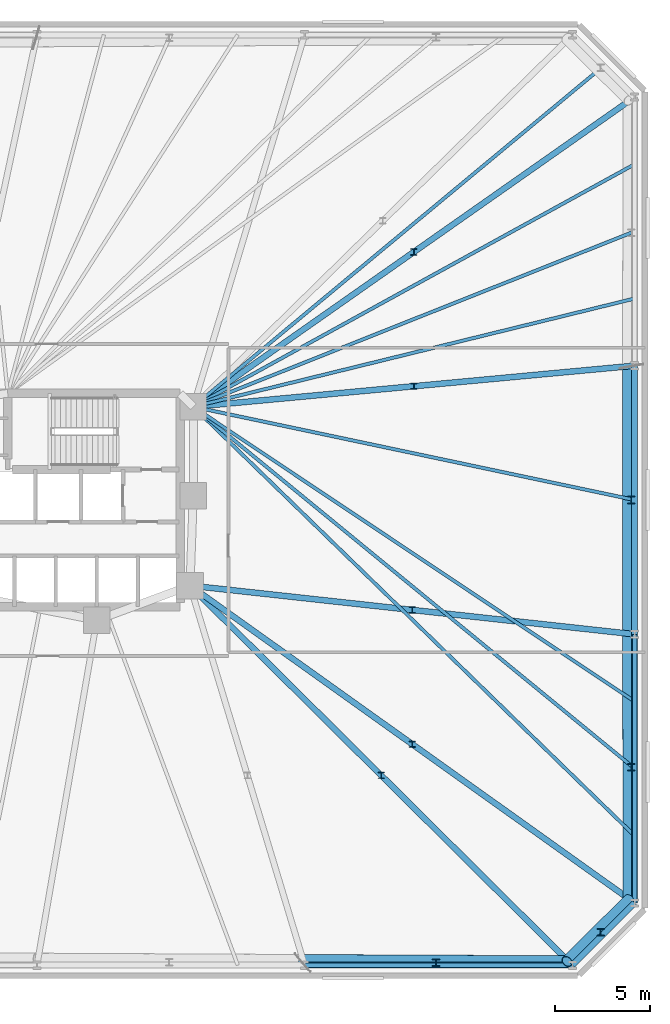
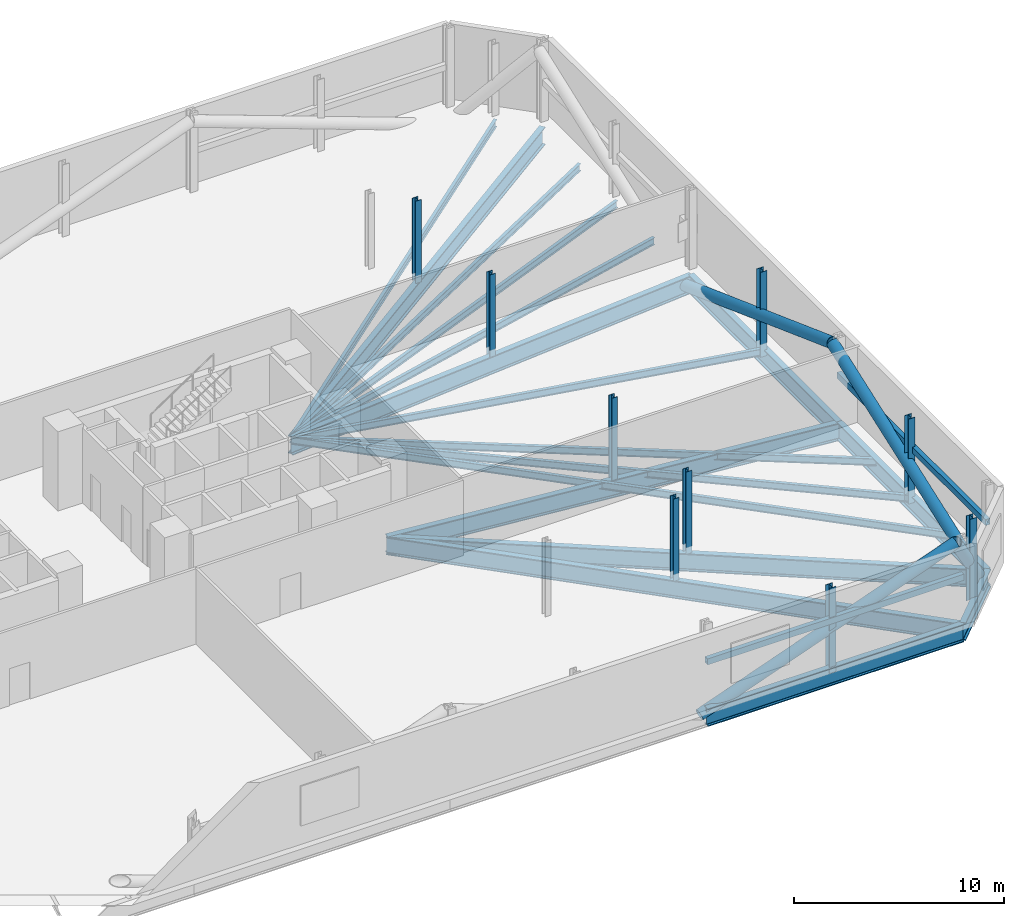
# One storey, part 10 of 17: 17 beams, 15 members.
"""IFC4 building model written with IfcOpenShell, lengths in metres."""

from ifc_helpers import new_model, si_unit, direction, frame, origin, origin_2d, place, context, subcontext, project, spatial, hollow_rectangle, hollow_circle, i_section, extrude, material, material_profile, profile_set, type_object, element, save


model = new_model("IFC4")

# Units and contexts
model_context = context("Model", 3, precision=1e-05, world=origin(), true_north=direction((0.0, 1.0)))
body_context = subcontext(model_context, "Body", "Model", "MODEL_VIEW")
ifc_project = project(units=[si_unit("LENGTHUNIT", "METRE"), si_unit("AREAUNIT", "SQUARE_METRE"), si_unit("VOLUMEUNIT", "CUBIC_METRE"), si_unit("PLANEANGLEUNIT", "RADIAN"), si_unit("MASSUNIT", "GRAM", prefix="KILO")], contexts=[model_context])

# Site, building, storey
site_placement = place(None, origin())
site = spatial("IfcSite", under=ifc_project, at=site_placement, CompositionType="ELEMENT")
building_placement = place(site_placement, origin())
building = spatial("IfcBuilding", under=site, at=building_placement, Name="Menara Jurai Vektor", CompositionType="ELEMENT")
storey_placement = place(building_placement, frame((0.0, 0.0, 9.60009765625)))
storey = spatial("IfcBuildingStorey", under=building, at=storey_placement, Name="L01", CompositionType="ELEMENT", Elevation=9.60009765625)

# Beams
ifc_material_1 = material(Name="Steel S460", Category="steel")
ifc_material_profile_1 = material_profile(ifc_material_1, i_section(OverallWidth=0.30908203125, OverallDepth=1.035888671875, WebThickness=0.030029296875, FlangeThickness=0.053955078125, FilletRadius=0.030029296875, at=origin_2d()), Name="UKB 1016x305x487")
ifc_profile_set_1 = profile_set([ifc_material_profile_1], Name="Steel S460")
beam_type_1 = type_object("IfcBeamType", Name="STR-BM-TR1016", PredefinedType="BEAM", material=ifc_profile_set_1)
beam_1_placement = place(storey_placement, frame((21.106689453125, -24.449951171875, -0.923095703125), z_axis=(1.0, 0.0, 0.0), x_axis=(0.0, 1.0, 0.0)))
element("IfcBeam", 1, at=beam_1_placement, inside=storey, type_object=beam_type_1, Name="Belt Truss Bottom Chord L01-05", PredefinedType="BEAM", context=body_context, shape_type="SweptSolid", body=[
    extrude(i_section(OverallWidth=0.30908203125, OverallDepth=1.035888671875, WebThickness=0.030029296875, FlangeThickness=0.053955078125, FilletRadius=0.030029296875, at=origin_2d()), origin(), (0.0, 0.0, 1.0), 14.071044921875),
])
beam_2_placement = place(storey_placement, frame((35.177734375, -24.449951171875, -0.923095703125), z_axis=(0.707106781187, 0.707106781187, 0.0), x_axis=(-0.707106781187, 0.707106781187, 0.0)))
element("IfcBeam", 2, at=beam_2_placement, inside=storey, type_object=beam_type_1, Name="Belt Truss Bottom Chord L01-06", PredefinedType="BEAM", context=body_context, shape_type="SweptSolid", body=[
    extrude(i_section(OverallWidth=0.30908203125, OverallDepth=1.035888671875, WebThickness=0.030029296875, FlangeThickness=0.053955078125, FilletRadius=0.030029296875, at=origin_2d()), origin(), (0.0, 0.0, 1.0), 4.627685546875),
])
beam_3_placement = place(storey_placement, frame((35.177734375, -24.449951171875, -0.923095703125), z_axis=(-0.709709931659, 0.704494011972, 0.0), x_axis=(-0.704494011972, -0.709709931659, 0.0)))
element("IfcBeam", 3, at=beam_3_placement, inside=storey, type_object=beam_type_1, Name="Outrigger Transfer Girder L01-S6", PredefinedType="BEAM", context=body_context, shape_type="SweptSolid", body=[
    extrude(i_section(OverallWidth=0.30908203125, OverallDepth=1.035888671875, WebThickness=0.030029296875, FlangeThickness=0.053955078125, FilletRadius=0.030029296875, at=origin_2d()), origin(), (0.0, 0.0, 1.0), 28.318115234375),
])
beam_4_placement = place(storey_placement, frame((38.449951171875, -21.177734375, -0.923095703125), z_axis=(0.0, 1.0, 0.0), x_axis=(-1.0, 0.0, 0.0)))
element("IfcBeam", 4, at=beam_4_placement, inside=storey, type_object=beam_type_1, Name="Belt Truss Bottom Chord L01-07", PredefinedType="BEAM", context=body_context, shape_type="SweptSolid", body=[
    extrude(i_section(OverallWidth=0.30908203125, OverallDepth=1.035888671875, WebThickness=0.030029296875, FlangeThickness=0.053955078125, FilletRadius=0.030029296875, at=origin_2d()), origin(), (0.0, 0.0, 1.0), 14.118408203125),
])
beam_5_placement = place(storey_placement, frame((38.449951171875, -21.177734375, -0.923095703125), z_axis=(-0.813981033216, 0.580891450759, 0.0), x_axis=(-0.580891450759, -0.813981033216, 0.0)))
element("IfcBeam", 5, at=beam_5_placement, inside=storey, type_object=beam_type_1, Name="Outrigger Transfer Girder L01-E1", PredefinedType="BEAM", context=body_context, shape_type="SweptSolid", body=[
    extrude(i_section(OverallWidth=0.30908203125, OverallDepth=1.035888671875, WebThickness=0.030029296875, FlangeThickness=0.053955078125, FilletRadius=0.030029296875, at=origin_2d()), origin(), (0.0, 0.0, 1.0), 28.710693359375),
])
beam_6_placement = place(storey_placement, frame((38.449951171875, -7.059326171875, -0.923095703125), z_axis=(0.0, 1.0, 0.0), x_axis=(-1.0, 0.0, 0.0)))
element("IfcBeam", 6, at=beam_6_placement, inside=storey, type_object=beam_type_1, Name="Belt Truss Bottom Chord L01-08", PredefinedType="BEAM", context=body_context, shape_type="SweptSolid", body=[
    extrude(i_section(OverallWidth=0.30908203125, OverallDepth=1.035888671875, WebThickness=0.030029296875, FlangeThickness=0.053955078125, FilletRadius=0.030029296875, at=origin_2d()), origin(), (0.0, 0.0, 1.0), 14.11865234375),
])
beam_7_placement = place(storey_placement, frame((38.449951171875, -7.059326171875, -0.923095703125), z_axis=(-0.994056757953, 0.108863042253, 0.0), x_axis=(-0.108863042253, -0.994056757953, 0.0)))
element("IfcBeam", 7, at=beam_7_placement, inside=storey, type_object=beam_type_1, Name="Outrigger Transfer Girder L01-E2", PredefinedType="BEAM", context=body_context, shape_type="SweptSolid", body=[
    extrude(i_section(OverallWidth=0.30908203125, OverallDepth=1.035888671875, WebThickness=0.030029296875, FlangeThickness=0.053955078125, FilletRadius=0.030029296875, at=origin_2d()), origin(), (0.0, 0.0, 1.0), 23.509521484375),
])
beam_8_placement = place(storey_placement, frame((38.449951171875, 7.059326171875, -0.923095703125), z_axis=(-0.995696113112, -0.092678208514, 0.0), x_axis=(0.092678208514, -0.995696113112, 0.0)))
element("IfcBeam", 8, at=beam_8_placement, inside=storey, type_object=beam_type_1, Name="Outrigger Transfer Girder L01-E3", PredefinedType="BEAM", context=body_context, shape_type="SweptSolid", body=[
    extrude(i_section(OverallWidth=0.30908203125, OverallDepth=1.035888671875, WebThickness=0.030029296875, FlangeThickness=0.053955078125, FilletRadius=0.030029296875, at=origin_2d()), origin(), (0.0, 0.0, 1.0), 23.30029296875),
])
beam_9_placement = place(storey_placement, frame((38.449951171875, 21.177734375, -0.923095703125), z_axis=(-0.818603732445, -0.574358711283, 0.0), x_axis=(0.574358711283, -0.818603732445, 0.0)))
element("IfcBeam", 9, at=beam_9_placement, inside=storey, type_object=beam_type_1, Name="Outrigger Transfer Girder L01-E4", PredefinedType="BEAM", context=body_context, shape_type="SweptSolid", body=[
    extrude(i_section(OverallWidth=0.30908203125, OverallDepth=1.035888671875, WebThickness=0.030029296875, FlangeThickness=0.053955078125, FilletRadius=0.030029296875, at=origin_2d()), origin(), (0.0, 0.0, 1.0), 28.3408203125),
])

# Members
ifc_material_profile_2 = material_profile(ifc_material_1, hollow_circle(Radius=0.304931640625, WallThickness=0.02490234375, at=origin_2d()), Name="CHS 610x25")
ifc_profile_set_2 = profile_set([ifc_material_profile_2], Name="Steel S460")
member_type_1 = type_object("IfcMemberType", Name="STR-BR-610", PredefinedType="BRACE", material=ifc_profile_set_2)
member_1_placement = place(storey_placement, frame((20.884521484375, -24.192626953125, -0.923095703125), z_axis=(0.938838220166, -0.004252429136, 0.344332271509), x_axis=(0.004529412441, 0.999989742159, 0.0)))
element("IfcMember", 10, at=member_1_placement, inside=storey, type_object=member_type_1, Name="Belt Truss Web Diagonal L01-05", PredefinedType="BRACE", context=body_context, shape_type="SweptSolid", body=[
    extrude(hollow_circle(Radius=0.304931640625, WallThickness=0.02490234375, at=origin_2d()), origin(), (0.0, 0.0, 1.0), 14.92724609375),
])
member_2_placement = place(storey_placement, frame((38.152099609375, -21.013916015625, -0.923095703125), z_axis=(-0.471980956409, -0.470351726033, 0.745656241579), x_axis=(0.705883185694, -0.708328262993, 0.0)))
element("IfcMember", 11, at=member_2_placement, inside=storey, type_object=member_type_1, Name="Belt Truss Web Diagonal L01-06", PredefinedType="BRACE", context=body_context, shape_type="SweptSolid", body=[
    extrude(hollow_circle(Radius=0.304931640625, WallThickness=0.02490234375, at=origin_2d()), origin(), (0.0, 0.0, 1.0), 6.89306640625),
])
member_3_placement = place(storey_placement, frame((38.152099609375, -21.013916015625, -0.923095703125), z_axis=(-0.00245303796, 0.938859395143, 0.344292054449), x_axis=(-0.999996586694, -0.002612776311, 0.0)))
element("IfcMember", 12, at=member_3_placement, inside=storey, type_object=member_type_1, Name="Belt Truss Web Diagonal L01-07", PredefinedType="BRACE", context=body_context, shape_type="SweptSolid", body=[
    extrude(hollow_circle(Radius=0.304931640625, WallThickness=0.02490234375, at=origin_2d()), origin(), (0.0, 0.0, 1.0), 14.928955078125),
])
member_4_placement = place(storey_placement, frame((38.115478515625, 6.997802734375, -0.923095703125), z_axis=(0.0, -0.938699068435, 0.344737666814), x_axis=(1.0, 0.0, 0.0)))
element("IfcMember", 13, at=member_4_placement, inside=storey, type_object=member_type_1, Name="Belt Truss Web Diagonal L01-08", PredefinedType="BRACE", context=body_context, shape_type="SweptSolid", body=[
    extrude(hollow_circle(Radius=0.304931640625, WallThickness=0.02490234375, at=origin_2d()), origin(), (0.0, 0.0, 1.0), 14.90966796875),
])
ifc_material_profile_3 = material_profile(ifc_material_1, hollow_rectangle(XDim=0.25, YDim=0.35009765625, WallThickness=0.012451171875, at=origin_2d()), Name="RHS 350x250x12.5")
ifc_profile_set_3 = profile_set([ifc_material_profile_3], Name="Steel S460")
member_type_2 = type_object("IfcMemberType", Name="STR-CH-RHS350", PredefinedType="CHORD", material=ifc_profile_set_3)
member_5_placement = place(storey_placement, frame((21.106689453125, -24.449951171875, 2.2998046875), z_axis=(1.0, 0.0, 0.0), x_axis=(0.0, 1.0, 0.0)))
element("IfcMember", 14, at=member_5_placement, inside=storey, type_object=member_type_2, Name="Belt Truss Mid Chord L01-05", PredefinedType="CHORD", context=body_context, shape_type="SweptSolid", body=[
    extrude(hollow_rectangle(XDim=0.25, YDim=0.35009765625, WallThickness=0.012451171875, at=origin_2d()), origin(), (0.0, 0.0, 1.0), 14.071044921875),
])
member_6_placement = place(storey_placement, frame((38.449951171875, -21.177734375, 2.2998046875), z_axis=(0.0, 1.0, 0.0), x_axis=(-1.0, 0.0, 0.0)))
element("IfcMember", 15, at=member_6_placement, inside=storey, type_object=member_type_2, Name="Belt Truss Mid Chord L01-07", PredefinedType="CHORD", context=body_context, shape_type="SweptSolid", body=[
    extrude(hollow_rectangle(XDim=0.25, YDim=0.35009765625, WallThickness=0.012451171875, at=origin_2d()), origin(), (0.0, 0.0, 1.0), 14.118408203125),
])

# Beams
ifc_material_2 = material(Name="Steel S355", Category="steel")
ifc_material_profile_4 = material_profile(ifc_material_2, i_section(OverallWidth=0.178955078125, OverallDepth=0.408935546875, WebThickness=0.009033203125, FlangeThickness=0.013916015625, FilletRadius=0.010009765625, at=origin_2d()), Name="UKB 406x178x67")
ifc_profile_set_4 = profile_set([ifc_material_profile_4], Name="Steel S355")
beam_type_2 = type_object("IfcBeamType", Name="STR-JS-406", PredefinedType="JOIST", material=ifc_profile_set_4)
beam_10_placement = place(storey_placement, frame((38.449951171875, -17.648193359375, -0.609619140625), z_axis=(-0.71710942187, 0.696960599363, 0.0), x_axis=(-0.696960599363, -0.71710942187, 0.0)))
element("IfcBeam", 16, at=beam_10_placement, inside=storey, type_object=beam_type_2, Name="Radial Secondary Floor Joist L01-JS08", PredefinedType="JOIST", context=body_context, shape_type="SweptSolid", body=[
    extrude(i_section(OverallWidth=0.178955078125, OverallDepth=0.408935546875, WebThickness=0.009033203125, FlangeThickness=0.013916015625, FilletRadius=0.010009765625, at=origin_2d()), origin(), (0.0, 0.0, 1.0), 32.35205078125),
])
beam_11_placement = place(storey_placement, frame((38.449951171875, -14.118408203125, -0.609619140625), z_axis=(-0.773360118456, 0.633966976413, 0.0), x_axis=(-0.633966976413, -0.773360118456, 0.0)))
element("IfcBeam", 17, at=beam_11_placement, inside=storey, type_object=beam_type_2, Name="Radial Secondary Floor Joist L01-JS09", PredefinedType="JOIST", context=body_context, shape_type="SweptSolid", body=[
    extrude(i_section(OverallWidth=0.178955078125, OverallDepth=0.408935546875, WebThickness=0.009033203125, FlangeThickness=0.013916015625, FilletRadius=0.010009765625, at=origin_2d()), origin(), (0.0, 0.0, 1.0), 29.998779296875),
])
beam_12_placement = place(storey_placement, frame((38.449951171875, -10.5888671875, -0.609619140625), z_axis=(-0.831683872109, 0.555249436627, 0.0), x_axis=(-0.555249436627, -0.831683872109, 0.0)))
element("IfcBeam", 18, at=beam_12_placement, inside=storey, type_object=beam_type_2, Name="Radial Secondary Floor Joist L01-JS10", PredefinedType="JOIST", context=body_context, shape_type="SweptSolid", body=[
    extrude(i_section(OverallWidth=0.178955078125, OverallDepth=0.408935546875, WebThickness=0.009033203125, FlangeThickness=0.013916015625, FilletRadius=0.010009765625, at=origin_2d()), origin(), (0.0, 0.0, 1.0), 27.895263671875),
])
beam_13_placement = place(storey_placement, frame((38.449951171875, 0.0, -0.609619140625), z_axis=(-0.978416084102, 0.206644541109, 0.0), x_axis=(-0.206644541109, -0.978416084102, 0.0)))
element("IfcBeam", 19, at=beam_13_placement, inside=storey, type_object=beam_type_2, Name="Radial Secondary Floor Joist L01-JS11", PredefinedType="JOIST", context=body_context, shape_type="SweptSolid", body=[
    extrude(i_section(OverallWidth=0.178955078125, OverallDepth=0.408935546875, WebThickness=0.009033203125, FlangeThickness=0.013916015625, FilletRadius=0.010009765625, at=origin_2d()), origin(), (0.0, 0.0, 1.0), 23.711669921875),
])
beam_14_placement = place(storey_placement, frame((38.449951171875, 10.5888671875, -0.609619140625), z_axis=(-0.971226234641, -0.238158772976, 0.0), x_axis=(0.238158772976, -0.971226234641, 0.0)))
element("IfcBeam", 20, at=beam_14_placement, inside=storey, type_object=beam_type_2, Name="Radial Secondary Floor Joist L01-JS12", PredefinedType="JOIST", context=body_context, shape_type="SweptSolid", body=[
    extrude(i_section(OverallWidth=0.178955078125, OverallDepth=0.408935546875, WebThickness=0.009033203125, FlangeThickness=0.013916015625, FilletRadius=0.010009765625, at=origin_2d()), origin(), (0.0, 0.0, 1.0), 23.88720703125),
])
beam_15_placement = place(storey_placement, frame((38.449951171875, 14.118408203125, -0.609619140625), z_axis=(-0.929323400723, -0.369266864027, 0.0), x_axis=(0.369266864027, -0.929323400723, 0.0)))
element("IfcBeam", 21, at=beam_15_placement, inside=storey, type_object=beam_type_2, Name="Radial Secondary Floor Joist L01-JS13", PredefinedType="JOIST", context=body_context, shape_type="SweptSolid", body=[
    extrude(i_section(OverallWidth=0.178955078125, OverallDepth=0.408935546875, WebThickness=0.009033203125, FlangeThickness=0.013916015625, FilletRadius=0.010009765625, at=origin_2d()), origin(), (0.0, 0.0, 1.0), 24.96435546875),
])
beam_16_placement = place(storey_placement, frame((38.449951171875, 17.648193359375, -0.609619140625), z_axis=(-0.87640219057, -0.481579900291, 0.0), x_axis=(0.481579900291, -0.87640219057, 0.0)))
element("IfcBeam", 22, at=beam_16_placement, inside=storey, type_object=beam_type_2, Name="Radial Secondary Floor Joist L01-JS14", PredefinedType="JOIST", context=body_context, shape_type="SweptSolid", body=[
    extrude(i_section(OverallWidth=0.178955078125, OverallDepth=0.408935546875, WebThickness=0.009033203125, FlangeThickness=0.013916015625, FilletRadius=0.010009765625, at=origin_2d()), origin(), (0.0, 0.0, 1.0), 26.471923828125),
])
beam_17_placement = place(storey_placement, frame((36.81396484375, 22.81396484375, -0.609619140625), z_axis=(-0.769201173096, -0.639006694259, 0.0), x_axis=(0.639006694259, -0.769201173096, 0.0)))
element("IfcBeam", 23, at=beam_17_placement, inside=storey, type_object=beam_type_2, Name="Radial Secondary Floor Joist L01-JS15", PredefinedType="JOIST", context=body_context, shape_type="SweptSolid", body=[
    extrude(i_section(OverallWidth=0.178955078125, OverallDepth=0.408935546875, WebThickness=0.009033203125, FlangeThickness=0.013916015625, FilletRadius=0.010009765625, at=origin_2d()), origin(), (0.0, 0.0, 1.0), 28.0341796875),
])

# Members
ifc_material_profile_5 = material_profile(ifc_material_1, i_section(OverallWidth=0.31103515625, OverallDepth=0.326904296875, WebThickness=0.01611328125, FlangeThickness=0.02490234375, FilletRadius=0.014892578125, at=origin_2d()), Name="UKC 305x305x158")
ifc_profile_set_5 = profile_set([ifc_material_profile_5], Name="Steel S460")
member_type_3 = type_object("IfcMemberType", Name="STR-POST-305", PredefinedType="POST", material=ifc_profile_set_5)
for number, where, z_axis, x_axis, name in (
    (24, (25.12890625, -14.47509765625, -0.405029296875), (0.0, 0.0, 1.0), (1.0, 0.0, 0.0), "Girder Hanger L01-S6"),
    (25, (26.764892578125, -12.8388671875, -0.405029296875), (0.0, 0.0, 1.0), (1.0, 0.0, 0.0), "Girder Hanger L01-E1"),
    (26, (26.764892578125, -5.779541015625, -0.405029296875), (0.0, 0.0, 1.0), (1.0, 0.0, 0.0), "Girder Hanger L01-E2"),
    (27, (26.85009765625, 5.9794921875, -0.405029296875), (0.0, 0.0, 1.0), (1.0, 0.0, 0.0), "Girder Hanger L01-E3"),
    (28, (26.85009765625, 13.038818359375, -0.405029296875), (0.0, 0.0, 1.0), (1.0, 0.0, 0.0), "Girder Hanger L01-E4"),
):
    element("IfcMember", number, at=place(storey_placement, frame(where, z_axis=z_axis, x_axis=x_axis)), inside=storey, type_object=member_type_3, Name=name, PredefinedType="POST", context=body_context, shape_type="SweptSolid", body=[
        extrude(i_section(OverallWidth=0.31103515625, OverallDepth=0.326904296875, WebThickness=0.01611328125, FlangeThickness=0.02490234375, FilletRadius=0.014892578125, at=origin_2d()), origin(), (0.0, 0.0, 1.0), 4.780029296875),
    ])
ifc_material_profile_6 = material_profile(ifc_material_1, i_section(OverallWidth=0.375, OverallDepth=0.375, WebThickness=0.01708984375, FlangeThickness=0.027099609375, FilletRadius=0.014892578125, at=origin_2d()), Name="UKC 356x368x202")
ifc_profile_set_6 = profile_set([ifc_material_profile_6], Name="Steel S460")
member_type_4 = type_object("IfcMemberType", Name="STR-POST-368", PredefinedType="POST", material=ifc_profile_set_6)
for number, where, z_axis, x_axis, name in (
    (29, (28.00634765625, -24.331787109375, -0.755126953125), (0.0, 0.0, 1.0), (1.0, 0.0, 0.0), "Belt Truss Vertical Web Post L01-05"),
    (30, (36.660888671875, -22.718994140625, -0.755126953125), (0.0, 0.0, 1.0), (1.0, 0.0, 0.0), "Belt Truss Vertical Web Post L01-06"),
    (31, (38.281005859375, -14.056396484375, -0.755126953125), (0.0, 0.0, 1.0), (1.0, 0.0, 0.0), "Belt Truss Vertical Web Post L01-07"),
    (32, (38.27001953125, 0.0, -0.755126953125), (0.0, 0.0, 1.0), (1.0, 0.0, 0.0), "Belt Truss Vertical Web Post L01-08"),
):
    element("IfcMember", number, at=place(storey_placement, frame(where, z_axis=z_axis, x_axis=x_axis)), inside=storey, type_object=member_type_4, Name=name, PredefinedType="POST", context=body_context, shape_type="SweptSolid", body=[
        extrude(i_section(OverallWidth=0.375, OverallDepth=0.375, WebThickness=0.01708984375, FlangeThickness=0.027099609375, FilletRadius=0.014892578125, at=origin_2d()), origin(), (0.0, 0.0, 1.0), 4.929931640625),
    ])

save(model, "model.ifc")
